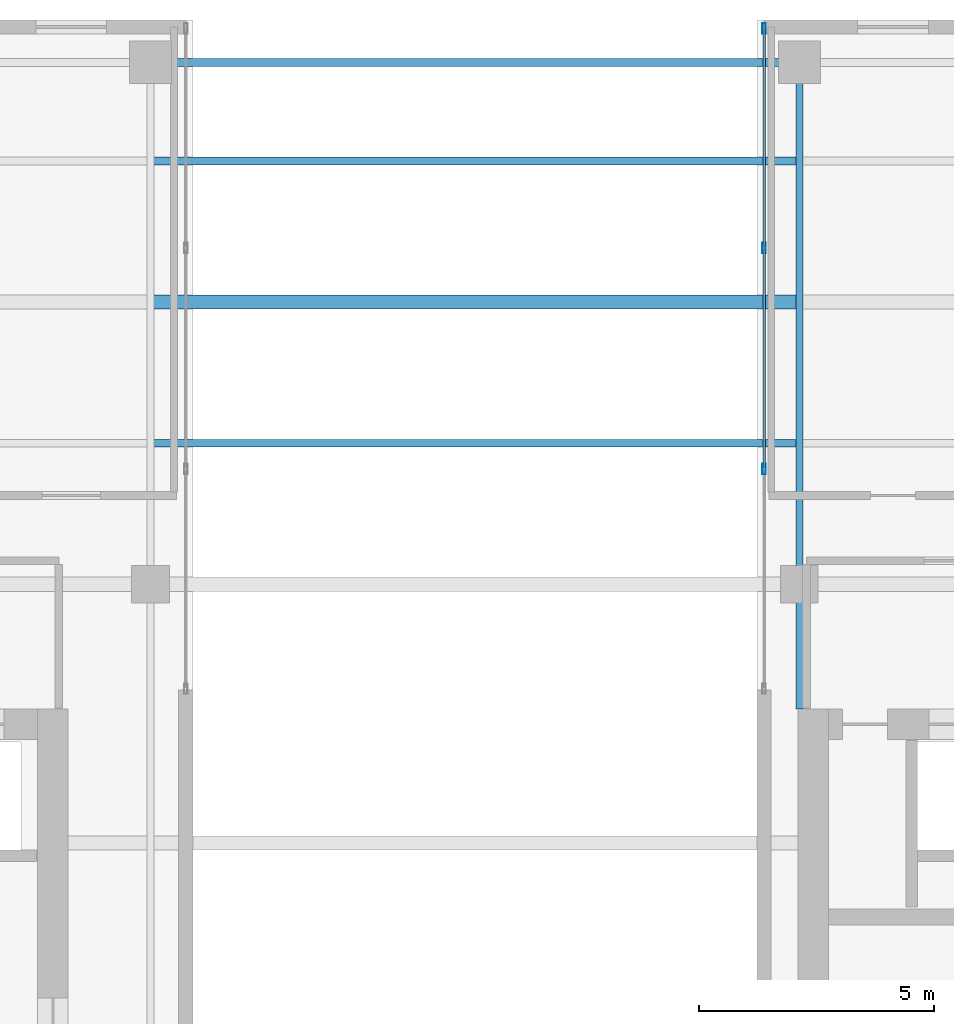
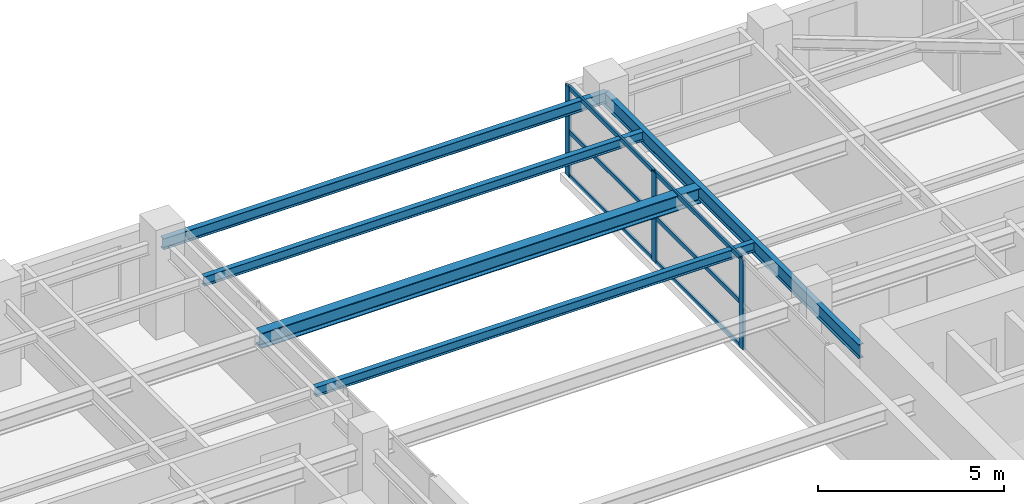
# One storey, part 15 of 21: 9 members, 5 beams, 1 element without a shape of its own.
"""IFC4 building model written with IfcOpenShell, lengths in metres."""

from ifc_helpers import new_model, si_unit, direction, frame, origin, origin_2d, place, context, subcontext, project, spatial, hollow_rectangle, i_section, extrude, source, transform, mapped, material, layer, layer_set, material_profile, profile_set, type_object, element, aggregate, save


model = new_model("IFC4")

# Units and contexts
model_context = context("Model", 3, precision=1e-05, world=origin(), true_north=direction((0.0, 1.0)))
body_context = subcontext(model_context, "Body", "Model", "MODEL_VIEW")
ifc_project = project(units=[si_unit("LENGTHUNIT", "METRE"), si_unit("AREAUNIT", "SQUARE_METRE"), si_unit("VOLUMEUNIT", "CUBIC_METRE"), si_unit("PLANEANGLEUNIT", "RADIAN"), si_unit("MASSUNIT", "GRAM", prefix="KILO")], contexts=[model_context])

# Site, building, storey
site_placement = place(None, origin())
site = spatial("IfcSite", under=ifc_project, at=site_placement, CompositionType="ELEMENT")
building_placement = place(site_placement, origin())
building = spatial("IfcBuilding", under=site, at=building_placement, Name="Khoralis Quay Care Tower", CompositionType="ELEMENT")
storey_placement = place(building_placement, frame((0.0, 0.0, 213.300048828125)))
storey = spatial("IfcBuildingStorey", under=building, at=storey_placement, Name="L56", CompositionType="ELEMENT", Elevation=213.300048828125)

# Beams
ifc_material_1 = material(Name="Steel S355", Category="steel")
ifc_material_profile_1 = material_profile(ifc_material_1, i_section(OverallWidth=0.154052734375, OverallDepth=0.458984375, WebThickness=0.009033203125, FlangeThickness=0.015380859375, FilletRadius=0.014892578125, at=origin_2d()), Name="Steel S355")
ifc_profile_set_1 = profile_set([ifc_material_profile_1], Name="Steel S355")
beam_type_1 = type_object("IfcBeamType", Name="BM-W460X68", PredefinedType="BEAM", material=ifc_profile_set_1)
shared_shape_1 = source(origin(), body_context, "Body", "SweptSolid", [
    extrude(i_section(OverallWidth=0.154052734375, OverallDepth=0.458984375, WebThickness=0.009033203125, FlangeThickness=0.015380859375, FilletRadius=0.014892578125, at=origin_2d()), origin(), (0.0, 0.0, 1.0), 13.752197265625),
])
beam_1_placement = place(storey_placement, frame((30.89990234375, 27.347900390625, 2.720458984375), z_axis=(0.0, 1.0, 0.0), x_axis=(-1.0, 0.0, 0.0)))
element("IfcBeam", 1, at=beam_1_placement, inside=storey, type_object=beam_type_1, Name="BM-TGYN-L56-309", PredefinedType="BEAM", context=body_context, shape_type="MappedRepresentation", body=[
    mapped(shared_shape_1, transform((0.0, 0.0, 0.0), scale=1.0)),
])
ifc_material_profile_2 = material_profile(ifc_material_1, i_section(OverallWidth=0.169921875, OverallDepth=0.360107421875, WebThickness=0.008056640625, FlangeThickness=0.0126953125, FilletRadius=0.01806640625, at=origin_2d()), Name="Steel S355")
ifc_profile_set_2 = profile_set([ifc_material_profile_2], Name="Steel S355")
beam_type_2 = type_object("IfcBeamType", Name="BM-IPE360", PredefinedType="SPANDREL", material=ifc_profile_set_2)
shared_shape_2 = source(origin(), body_context, "Body", "SweptSolid", [
    extrude(i_section(OverallWidth=0.169921875, OverallDepth=0.360107421875, WebThickness=0.008056640625, FlangeThickness=0.0126953125, FilletRadius=0.01806640625, at=origin_2d()), origin(), (0.0, 0.0, 1.0), 13.7998046875),
])
beam_2_placement = place(storey_placement, frame((17.10009765625, 41.10009765625, 2.77001953125), z_axis=(1.0, 0.0, 0.0), x_axis=(0.0, 1.0, 0.0)))
element("IfcBeam", 2, at=beam_2_placement, inside=storey, type_object=beam_type_2, Name="BM-TSP-L56-05", PredefinedType="SPANDREL", context=body_context, shape_type="MappedRepresentation", body=[
    mapped(shared_shape_2, transform((0.0, 0.0, 0.0), scale=1.0)),
])
ifc_material_profile_3 = material_profile(ifc_material_1, i_section(OverallWidth=0.300048828125, OverallDepth=0.5, WebThickness=0.014404296875, FlangeThickness=0.028076171875, FilletRadius=0.027099609375, at=origin_2d()), Name="Steel S355")
ifc_profile_set_3 = profile_set([ifc_material_profile_3], Name="Steel S355")
beam_type_3 = type_object("IfcBeamType", Name="BM-HEB500", PredefinedType="BEAM", material=ifc_profile_set_3)
shared_shape_3 = source(origin(), body_context, "Body", "SweptSolid", [
    extrude(i_section(OverallWidth=0.300048828125, OverallDepth=0.5, WebThickness=0.014404296875, FlangeThickness=0.028076171875, FilletRadius=0.027099609375, at=origin_2d()), origin(), (0.0, 0.0, 1.0), 13.669921875),
])
beam_3_placement = place(storey_placement, frame((17.1650390625, 36.0, 2.699951171875), z_axis=(1.0, 0.0, 0.0), x_axis=(0.0, 1.0, 0.0)))
element("IfcBeam", 3, at=beam_3_placement, inside=storey, type_object=beam_type_3, Name="BM-TGCC-L56-360", PredefinedType="BEAM", context=body_context, shape_type="MappedRepresentation", body=[
    mapped(shared_shape_3, transform((0.0, 0.0, 0.0), scale=1.0)),
])
ifc_material_profile_4 = material_profile(ifc_material_1, i_section(OverallWidth=0.1650390625, OverallDepth=0.31005859375, WebThickness=0.005859375, FlangeThickness=0.009765625, FilletRadius=0.011962890625, at=origin_2d()), Name="Steel S355")
ifc_profile_set_4 = profile_set([ifc_material_profile_4], Name="Steel S355")
beam_type_4 = type_object("IfcBeamType", Name="BM-W310X39", PredefinedType="JOIST", material=ifc_profile_set_4)
shared_shape_4 = source(origin(), body_context, "Body", "SweptSolid", [
    extrude(i_section(OverallWidth=0.1650390625, OverallDepth=0.31005859375, WebThickness=0.005859375, FlangeThickness=0.009765625, FilletRadius=0.011962890625, at=origin_2d()), origin(), (0.0, 0.0, 1.0), 13.669921875),
])
for number, where, z_axis, x_axis, name in (
    (4, (17.1650390625, 33.0, 2.794921875), (1.0, 0.0, 0.0), (0.0, 1.0, 0.0), "BM-TJS-L56-26"),
    (5, (17.1650390625, 39.0, 2.794921875), (1.0, 0.0, 0.0), (0.0, 1.0, 0.0), "BM-TJS-L56-29"),
):
    element("IfcBeam", number, at=place(storey_placement, frame(where, z_axis=z_axis, x_axis=x_axis)), inside=storey, type_object=beam_type_4, Name=name, PredefinedType="JOIST", context=body_context, shape_type="MappedRepresentation", body=[
        mapped(shared_shape_4, transform((0.0, 0.0, 0.0), scale=1.0)),
    ])

# Curtain wall, members
ifc_material_2 = material(Name="Pale anodised aluminium", Category="aluminium")
ifc_layer = layer(ifc_material_2, 0.18994140625)
ifc_layer_set = layer_set([ifc_layer], Name="Pale anodised aluminium")
curtain_wall_type = type_object("IfcCurtainWallType", Name="CW-SYS-PORTAL", PredefinedType="NOTDEFINED", material=ifc_layer_set)
curtain_wall_placement = place(storey_placement, origin())
curtain_wall = element("IfcCurtainWall", 6, at=curtain_wall_placement, inside=storey, type_object=curtain_wall_type, Name="L56 Unitised Curtain Wall CW-VP-L56-P2-N", PredefinedType="NOTDEFINED")
ifc_material_profile_5 = material_profile(ifc_material_2, hollow_rectangle(XDim=0.06005859375, YDim=0.139892578125, WallThickness=0.00390625, at=origin_2d()), Name="Pale anodised aluminium")
ifc_profile_set_5 = profile_set([ifc_material_profile_5], Name="Pale anodised aluminium")
member_type_1 = type_object("IfcMemberType", Name="CW-TRN-140", PredefinedType="USERDEFINED", material=ifc_profile_set_5)
shared_shape_5 = source(origin(), body_context, "Body", "SweptSolid", [
    extrude(hollow_rectangle(XDim=0.06005859375, YDim=0.139892578125, WallThickness=0.00390625, at=origin_2d()), origin(), (0.0, 0.0, 1.0), 4.610107421875),
])
member_1_placement = place(storey_placement, frame((30.14990234375, 37.179931640625, 0.030029296875), z_axis=(0.0, 1.0, 0.0), x_axis=(-1.0, 0.0, 0.0)))
member_1 = element("IfcMember", 7, at=member_1_placement, type_object=member_type_1, Name="CW4 transom 3.1", ObjectType="TRANSOM", PredefinedType="USERDEFINED", context=body_context, shape_type="MappedRepresentation", body=[
    mapped(shared_shape_5, transform((0.0, 0.0, 0.0), scale=1.0)),
])
member_2_placement = place(storey_placement, frame((30.14990234375, 37.179931640625, 1.474853515625), z_axis=(0.0, 1.0, 0.0), x_axis=(-1.0, 0.0, 0.0)))
member_2 = element("IfcMember", 8, at=member_2_placement, type_object=member_type_1, Name="CW4 transom 3.2", ObjectType="TRANSOM", PredefinedType="USERDEFINED", context=body_context, shape_type="MappedRepresentation", body=[
    mapped(shared_shape_5, transform((0.0, 0.0, 0.0), scale=1.0)),
])
member_3_placement = place(storey_placement, frame((30.14990234375, 37.179931640625, 2.919921875), z_axis=(0.0, 1.0, 0.0), x_axis=(-1.0, 0.0, 0.0)))
member_3 = element("IfcMember", 9, at=member_3_placement, type_object=member_type_1, Name="CW4 transom 3.3", ObjectType="TRANSOM", PredefinedType="USERDEFINED", context=body_context, shape_type="MappedRepresentation", body=[
    mapped(shared_shape_5, transform((0.0, 0.0, 0.0), scale=1.0)),
])
shared_shape_6 = source(origin(), body_context, "Body", "SweptSolid", [
    extrude(hollow_rectangle(XDim=0.06005859375, YDim=0.139892578125, WallThickness=0.00390625, at=origin_2d()), origin(), (0.0, 0.0, 1.0), 4.64013671875),
])
member_4_placement = place(storey_placement, frame((30.14990234375, 32.47998046875, 0.030029296875), z_axis=(0.0, 1.0, 0.0), x_axis=(-1.0, 0.0, 0.0)))
member_4 = element("IfcMember", 10, at=member_4_placement, type_object=member_type_1, Name="CW4 transom 2.1", ObjectType="TRANSOM", PredefinedType="USERDEFINED", context=body_context, shape_type="MappedRepresentation", body=[
    mapped(shared_shape_6, transform((0.0, 0.0, 0.0), scale=1.0)),
])
member_5_placement = place(storey_placement, frame((30.14990234375, 32.47998046875, 1.474853515625), z_axis=(0.0, 1.0, 0.0), x_axis=(-1.0, 0.0, 0.0)))
member_5 = element("IfcMember", 11, at=member_5_placement, type_object=member_type_1, Name="CW4 transom 2.2", ObjectType="TRANSOM", PredefinedType="USERDEFINED", context=body_context, shape_type="MappedRepresentation", body=[
    mapped(shared_shape_6, transform((0.0, 0.0, 0.0), scale=1.0)),
])
member_6_placement = place(storey_placement, frame((30.14990234375, 32.47998046875, 2.919921875), z_axis=(0.0, 1.0, 0.0), x_axis=(-1.0, 0.0, 0.0)))
member_6 = element("IfcMember", 12, at=member_6_placement, type_object=member_type_1, Name="CW4 transom 2.3", ObjectType="TRANSOM", PredefinedType="USERDEFINED", context=body_context, shape_type="MappedRepresentation", body=[
    mapped(shared_shape_6, transform((0.0, 0.0, 0.0), scale=1.0)),
])
ifc_material_profile_6 = material_profile(ifc_material_2, hollow_rectangle(XDim=0.074951171875, YDim=0.219970703125, WallThickness=0.00390625, at=origin_2d()), Name="Pale anodised aluminium")
ifc_profile_set_6 = profile_set([ifc_material_profile_6], Name="Pale anodised aluminium")
member_type_2 = type_object("IfcMemberType", Name="CW-MUL-220", PredefinedType="MULLION", material=ifc_profile_set_6)
shared_shape_7 = source(origin(), body_context, "Body", "SweptSolid", [
    extrude(hollow_rectangle(XDim=0.074951171875, YDim=0.219970703125, WallThickness=0.00390625, at=origin_2d()), origin(), (0.0, 0.0, 1.0), 2.949951171875),
])
member_7_placement = place(storey_placement, frame((30.14990234375, 32.449951171875, 0.0), z_axis=(0.0, 0.0, 1.0), x_axis=(-1.0, 0.0, 0.0)))
member_7 = element("IfcMember", 13, at=member_7_placement, type_object=member_type_2, Name="CW4 mullion 2", PredefinedType="MULLION", context=body_context, shape_type="MappedRepresentation", body=[
    mapped(shared_shape_7, transform((0.0, 0.0, 0.0), scale=1.0)),
])
member_8_placement = place(storey_placement, frame((30.14990234375, 37.14990234375, 0.0), z_axis=(0.0, 0.0, 1.0), x_axis=(-1.0, 0.0, 0.0)))
member_8 = element("IfcMember", 14, at=member_8_placement, type_object=member_type_2, Name="CW4 mullion 3", PredefinedType="MULLION", context=body_context, shape_type="MappedRepresentation", body=[
    mapped(shared_shape_7, transform((0.0, 0.0, 0.0), scale=1.0)),
])
member_9_placement = place(storey_placement, frame((30.14990234375, 41.820068359375, 0.0), z_axis=(0.0, 0.0, 1.0), x_axis=(-1.0, 0.0, 0.0)))
member_9 = element("IfcMember", 15, at=member_9_placement, type_object=member_type_2, Name="CW4 mullion 4", PredefinedType="MULLION", context=body_context, shape_type="MappedRepresentation", body=[
    mapped(shared_shape_7, transform((0.0, 0.0, 0.0), scale=1.0)),
])
aggregate(curtain_wall, [member_7, member_8, member_9, member_4, member_5, member_6, member_1, member_2, member_3])

save(model, "model.ifc")
